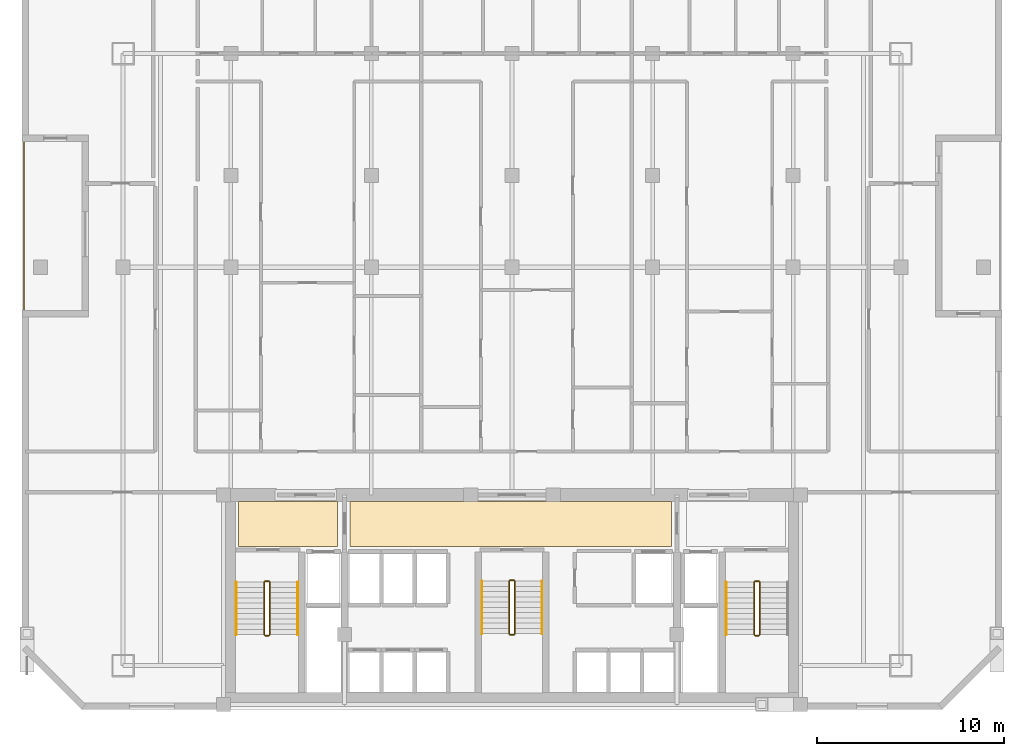
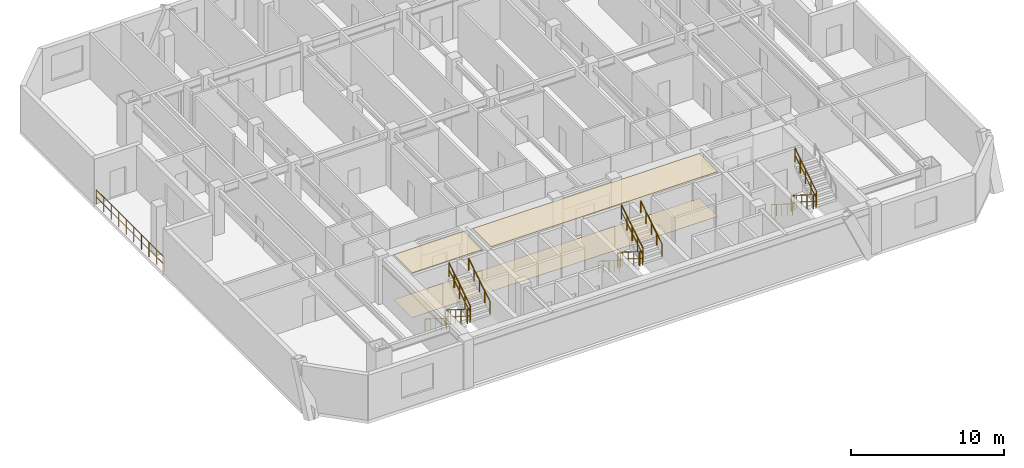
# One storey, part 9 of 10: 18 railings, 4 coverings.
"""IFC4 building model written with IfcOpenShell, lengths in metres."""

from ifc_helpers import new_model, si_unit, direction, frame, origin, origin_2d, place, context, subcontext, project, spatial, polyline, circle, outline, extrude, material, layer, layer_set, type_object, element, save


model = new_model("IFC4")

# Units and contexts
model_context = context("Model", 3, precision=1e-05, world=origin(), true_north=direction((0.0, 1.0)))
body_context = subcontext(model_context, "Body", "Model", "MODEL_VIEW")
ifc_project = project(units=[si_unit("LENGTHUNIT", "METRE"), si_unit("AREAUNIT", "SQUARE_METRE"), si_unit("VOLUMEUNIT", "CUBIC_METRE"), si_unit("PLANEANGLEUNIT", "RADIAN"), si_unit("MASSUNIT", "GRAM", prefix="KILO")], contexts=[model_context])

# Site, building, storey
site_placement = place(None, origin())
site = spatial("IfcSite", under=ifc_project, at=site_placement, CompositionType="ELEMENT")
building_placement = place(site_placement, origin())
building = spatial("IfcBuilding", under=site, at=building_placement, Name="Ventersveld Concourse Tower", CompositionType="ELEMENT")
storey_placement = place(building_placement, frame((0.0, 0.0, 123.39990234375)))
storey = spatial("IfcBuildingStorey", under=building, at=storey_placement, Name="L30", CompositionType="ELEMENT", Elevation=123.39990234375)

# Coverings
ifc_material_1 = material(Name="Mineral-fibre acoustic ceiling tile", Category="gypsum")
ifc_layer_1 = layer(ifc_material_1, 0.0400390625)
ifc_layer_set_1 = layer_set([ifc_layer_1], Name="Mineral-fibre acoustic ceiling tile")
covering_type_1 = type_object("IfcCoveringType", Name="COV-CEIL-ACOUSTIC", PredefinedType="CEILING", material=ifc_layer_set_1)
covering_1_placement = place(storey_placement, frame((0.0, 0.0, 3.56005859375)))
element("IfcCovering", 1, at=covering_1_placement, inside=storey, type_object=covering_type_1, Name="L30 North Lift Lobby Acoustic Ceiling", PredefinedType="CEILING", context=body_context, shape_type="SweptSolid", body=[
    extrude(outline(polyline([(20.10009765625, 8.699951171875), (37.25, 8.699951171875), (37.25, 11.10009765625), (20.10009765625, 11.10009765625), (20.10009765625, 8.699951171875)])), origin(), (0.0, 0.0, 1.0), 0.0400390625),
])
covering_2_placement = place(storey_placement, frame((0.0, 0.0, 3.56005859375)))
element("IfcCovering", 2, at=covering_2_placement, inside=storey, type_object=covering_type_1, Name="L30 West Firefighting Lobby Acoustic Ceiling", PredefinedType="CEILING", context=body_context, shape_type="SweptSolid", body=[
    extrude(outline(polyline([(14.14990234375, 8.699951171875), (19.449951171875, 8.699951171875), (19.449951171875, 11.10009765625), (14.14990234375, 11.10009765625), (14.14990234375, 8.699951171875)])), origin(), (0.0, 0.0, 1.0), 0.0400390625),
])
ifc_material_2 = material(Name="Polished Highveld granite terrazzo", Category="masonry")
ifc_layer_2 = layer(ifc_material_2, 0.02001953125)
ifc_layer_set_2 = layer_set([ifc_layer_2], Name="Polished Highveld granite terrazzo")
covering_type_2 = type_object("IfcCoveringType", Name="COV-FLOOR-TERRAZZO", PredefinedType="FLOORING", material=ifc_layer_set_2)
covering_3_placement = place(storey_placement, origin())
element("IfcCovering", 3, at=covering_3_placement, inside=storey, type_object=covering_type_2, Name="L30 North Lift Lobby Terrazzo Flooring", PredefinedType="FLOORING", context=body_context, shape_type="SweptSolid", body=[
    extrude(outline(polyline([(20.10009765625, 8.699951171875), (37.25, 8.699951171875), (37.25, 11.10009765625), (20.10009765625, 11.10009765625), (20.10009765625, 8.699951171875)])), origin(), (0.0, 0.0, 1.0), 0.02001953125),
])
covering_4_placement = place(storey_placement, origin())
element("IfcCovering", 4, at=covering_4_placement, inside=storey, type_object=covering_type_2, Name="L30 West Firefighting Lobby Terrazzo Flooring", PredefinedType="FLOORING", context=body_context, shape_type="SweptSolid", body=[
    extrude(outline(polyline([(14.14990234375, 8.699951171875), (19.449951171875, 8.699951171875), (19.449951171875, 11.10009765625), (14.14990234375, 11.10009765625), (14.14990234375, 8.699951171875)])), origin(), (0.0, 0.0, 1.0), 0.02001953125),
])

# Railings
ifc_material_3 = material(Name="Brushed stainless steel 316", Category="steel")
railing_type_1 = type_object("IfcRailingType", Name="GD-BAL-115", PredefinedType="GUARDRAIL", material=ifc_material_3)
railing_1_placement = place(storey_placement, frame((15.530029296875, 6.800048828125, 0.175048828125)))
element("IfcRailing", 5, at=railing_1_placement, inside=storey, type_object=railing_type_1, Name="L30 ST-01 stair guard 1", PredefinedType="GUARDRAIL", context=body_context, shape_type="SweptSolid", body=[
    extrude(circle(Radius=0.02392578125, at=origin_2d()), frame((0.0, 0.0, 1.1259765625), z_axis=(0.0, -0.848002457836, 0.529992293815), x_axis=(1.0, 0.0, 0.0)), (0.0, 0.0, 1.0), 3.302001953125),
    extrude(circle(Radius=0.01611328125, at=origin_2d()), frame((0.0, 0.0, 0.574951171875), z_axis=(0.0, -0.848002457836, 0.529992293815), x_axis=(1.0, 0.0, 0.0)), (0.0, 0.0, 1.0), 3.302001953125),
    extrude(circle(Radius=0.02099609375, at=origin_2d()), origin(), (0.0, 0.0, 1.0), 1.101806640625),
    extrude(circle(Radius=0.02099609375, at=origin_2d()), frame((0.0, -0.699951171875, 0.4375)), (0.0, 0.0, 1.0), 1.101806640625),
    extrude(circle(Radius=0.02099609375, at=origin_2d()), frame((0.0, -1.39990234375, 0.875)), (0.0, 0.0, 1.0), 1.101806640625),
    extrude(circle(Radius=0.02099609375, at=origin_2d()), frame((0.0, -2.10009765625, 1.3125)), (0.0, 0.0, 1.0), 1.101806640625),
    extrude(circle(Radius=0.02099609375, at=origin_2d()), frame((0.0, -2.800048828125, 1.75)), (0.0, 0.0, 1.0), 1.101806640625),
])
railing_2_placement = place(storey_placement, frame((15.580078125, 3.949951171875, 1.925048828125)))
element("IfcRailing", 6, at=railing_2_placement, inside=storey, type_object=railing_type_1, Name="L30 ST-01 stair guard 2", PredefinedType="GUARDRAIL", context=body_context, shape_type="SweptSolid", body=[
    extrude(circle(Radius=0.02392578125, at=origin_2d()), frame((0.0, 0.0, 1.1259765625), z_axis=(1.0, 0.0, 0.0), x_axis=(0.0, 1.0, 0.0)), (0.0, 0.0, 1.0), 0.199951171875),
    extrude(circle(Radius=0.01611328125, at=origin_2d()), frame((0.0, 0.0, 0.574951171875), z_axis=(1.0, 0.0, 0.0), x_axis=(0.0, 1.0, 0.0)), (0.0, 0.0, 1.0), 0.199951171875),
    extrude(circle(Radius=0.02099609375, at=origin_2d()), origin(), (0.0, 0.0, 1.0), 1.101806640625),
    extrude(circle(Radius=0.02099609375, at=origin_2d()), frame((0.199951171875, 0.0, 0.0)), (0.0, 0.0, 1.0), 1.101806640625),
])
railing_3_placement = place(storey_placement, frame((15.830078125, 4.0, 2.10009765625)))
element("IfcRailing", 7, at=railing_3_placement, inside=storey, type_object=railing_type_1, Name="L30 ST-01 stair guard 3", PredefinedType="GUARDRAIL", context=body_context, shape_type="SweptSolid", body=[
    extrude(circle(Radius=0.02392578125, at=origin_2d()), frame((0.0, 0.0, 1.1259765625), z_axis=(0.0, 0.848002457836, 0.529992293815), x_axis=(-1.0, 0.0, 0.0)), (0.0, 0.0, 1.0), 3.302001953125),
    extrude(circle(Radius=0.01611328125, at=origin_2d()), frame((0.0, 0.0, 0.574951171875), z_axis=(0.0, 0.848002457836, 0.529992293815), x_axis=(-1.0, 0.0, 0.0)), (0.0, 0.0, 1.0), 3.302001953125),
    extrude(circle(Radius=0.02099609375, at=origin_2d()), origin(), (0.0, 0.0, 1.0), 1.101806640625),
    extrude(circle(Radius=0.02099609375, at=origin_2d()), frame((0.0, 0.699951171875, 0.4375)), (0.0, 0.0, 1.0), 1.101806640625),
    extrude(circle(Radius=0.02099609375, at=origin_2d()), frame((0.0, 1.39990234375, 0.875)), (0.0, 0.0, 1.0), 1.101806640625),
    extrude(circle(Radius=0.02099609375, at=origin_2d()), frame((0.0, 2.10009765625, 1.3125)), (0.0, 0.0, 1.0), 1.101806640625),
    extrude(circle(Radius=0.02099609375, at=origin_2d()), frame((0.0, 2.800048828125, 1.75)), (0.0, 0.0, 1.0), 1.101806640625),
])
railing_4_placement = place(storey_placement, frame((15.580078125, 6.85009765625, 0.0)))
element("IfcRailing", 8, at=railing_4_placement, inside=storey, type_object=railing_type_1, Name="L30 ST-01 stair guard 4", PredefinedType="GUARDRAIL", context=body_context, shape_type="SweptSolid", body=[
    extrude(circle(Radius=0.02392578125, at=origin_2d()), frame((0.0, 0.0, 1.1259765625), z_axis=(1.0, 0.0, 0.0), x_axis=(0.0, 1.0, 0.0)), (0.0, 0.0, 1.0), 0.199951171875),
    extrude(circle(Radius=0.01611328125, at=origin_2d()), frame((0.0, 0.0, 0.574951171875), z_axis=(1.0, 0.0, 0.0), x_axis=(0.0, 1.0, 0.0)), (0.0, 0.0, 1.0), 0.199951171875),
    extrude(circle(Radius=0.02099609375, at=origin_2d()), origin(), (0.0, 0.0, 1.0), 1.101806640625),
    extrude(circle(Radius=0.02099609375, at=origin_2d()), frame((0.199951171875, 0.0, 0.0)), (0.0, 0.0, 1.0), 1.101806640625),
])
railing_5_placement = place(storey_placement, frame((41.669921875, 6.800048828125, 0.175048828125)))
element("IfcRailing", 9, at=railing_5_placement, inside=storey, type_object=railing_type_1, Name="L30 ST-02 stair guard 1", PredefinedType="GUARDRAIL", context=body_context, shape_type="SweptSolid", body=[
    extrude(circle(Radius=0.02392578125, at=origin_2d()), frame((0.0, 0.0, 1.1259765625), z_axis=(0.0, -0.848002457836, 0.529992293815), x_axis=(1.0, 0.0, 0.0)), (0.0, 0.0, 1.0), 3.302001953125),
    extrude(circle(Radius=0.01611328125, at=origin_2d()), frame((0.0, 0.0, 0.574951171875), z_axis=(0.0, -0.848002457836, 0.529992293815), x_axis=(1.0, 0.0, 0.0)), (0.0, 0.0, 1.0), 3.302001953125),
    extrude(circle(Radius=0.02099609375, at=origin_2d()), origin(), (0.0, 0.0, 1.0), 1.101806640625),
    extrude(circle(Radius=0.02099609375, at=origin_2d()), frame((0.0, -0.699951171875, 0.4375)), (0.0, 0.0, 1.0), 1.101806640625),
    extrude(circle(Radius=0.02099609375, at=origin_2d()), frame((0.0, -1.39990234375, 0.875)), (0.0, 0.0, 1.0), 1.101806640625),
    extrude(circle(Radius=0.02099609375, at=origin_2d()), frame((0.0, -2.10009765625, 1.3125)), (0.0, 0.0, 1.0), 1.101806640625),
    extrude(circle(Radius=0.02099609375, at=origin_2d()), frame((0.0, -2.800048828125, 1.75)), (0.0, 0.0, 1.0), 1.101806640625),
])
railing_6_placement = place(storey_placement, frame((41.719970703125, 3.949951171875, 1.925048828125)))
element("IfcRailing", 10, at=railing_6_placement, inside=storey, type_object=railing_type_1, Name="L30 ST-02 stair guard 2", PredefinedType="GUARDRAIL", context=body_context, shape_type="SweptSolid", body=[
    extrude(circle(Radius=0.02392578125, at=origin_2d()), frame((0.0, 0.0, 1.1259765625), z_axis=(1.0, 0.0, 0.0), x_axis=(0.0, 1.0, 0.0)), (0.0, 0.0, 1.0), 0.199951171875),
    extrude(circle(Radius=0.01611328125, at=origin_2d()), frame((0.0, 0.0, 0.574951171875), z_axis=(1.0, 0.0, 0.0), x_axis=(0.0, 1.0, 0.0)), (0.0, 0.0, 1.0), 0.199951171875),
    extrude(circle(Radius=0.02099609375, at=origin_2d()), origin(), (0.0, 0.0, 1.0), 1.101806640625),
    extrude(circle(Radius=0.02099609375, at=origin_2d()), frame((0.199951171875, 0.0, 0.0)), (0.0, 0.0, 1.0), 1.101806640625),
])
railing_7_placement = place(storey_placement, frame((41.969970703125, 4.0, 2.10009765625)))
element("IfcRailing", 11, at=railing_7_placement, inside=storey, type_object=railing_type_1, Name="L30 ST-02 stair guard 3", PredefinedType="GUARDRAIL", context=body_context, shape_type="SweptSolid", body=[
    extrude(circle(Radius=0.02392578125, at=origin_2d()), frame((0.0, 0.0, 1.1259765625), z_axis=(0.0, 0.848002457836, 0.529992293815), x_axis=(-1.0, 0.0, 0.0)), (0.0, 0.0, 1.0), 3.302001953125),
    extrude(circle(Radius=0.01611328125, at=origin_2d()), frame((0.0, 0.0, 0.574951171875), z_axis=(0.0, 0.848002457836, 0.529992293815), x_axis=(-1.0, 0.0, 0.0)), (0.0, 0.0, 1.0), 3.302001953125),
    extrude(circle(Radius=0.02099609375, at=origin_2d()), origin(), (0.0, 0.0, 1.0), 1.101806640625),
    extrude(circle(Radius=0.02099609375, at=origin_2d()), frame((0.0, 0.699951171875, 0.4375)), (0.0, 0.0, 1.0), 1.101806640625),
    extrude(circle(Radius=0.02099609375, at=origin_2d()), frame((0.0, 1.39990234375, 0.875)), (0.0, 0.0, 1.0), 1.101806640625),
    extrude(circle(Radius=0.02099609375, at=origin_2d()), frame((0.0, 2.10009765625, 1.3125)), (0.0, 0.0, 1.0), 1.101806640625),
    extrude(circle(Radius=0.02099609375, at=origin_2d()), frame((0.0, 2.800048828125, 1.75)), (0.0, 0.0, 1.0), 1.101806640625),
])
railing_8_placement = place(storey_placement, frame((41.719970703125, 6.85009765625, 0.0)))
element("IfcRailing", 12, at=railing_8_placement, inside=storey, type_object=railing_type_1, Name="L30 ST-02 stair guard 4", PredefinedType="GUARDRAIL", context=body_context, shape_type="SweptSolid", body=[
    extrude(circle(Radius=0.02392578125, at=origin_2d()), frame((0.0, 0.0, 1.1259765625), z_axis=(1.0, 0.0, 0.0), x_axis=(0.0, 1.0, 0.0)), (0.0, 0.0, 1.0), 0.199951171875),
    extrude(circle(Radius=0.01611328125, at=origin_2d()), frame((0.0, 0.0, 0.574951171875), z_axis=(1.0, 0.0, 0.0), x_axis=(0.0, 1.0, 0.0)), (0.0, 0.0, 1.0), 0.199951171875),
    extrude(circle(Radius=0.02099609375, at=origin_2d()), origin(), (0.0, 0.0, 1.0), 1.101806640625),
    extrude(circle(Radius=0.02099609375, at=origin_2d()), frame((0.199951171875, 0.0, 0.0)), (0.0, 0.0, 1.0), 1.101806640625),
])
railing_9_placement = place(storey_placement, frame((28.60009765625, 6.85009765625, 0.175048828125)))
element("IfcRailing", 13, at=railing_9_placement, inside=storey, type_object=railing_type_1, Name="L30 ST-03 stair guard 1", PredefinedType="GUARDRAIL", context=body_context, shape_type="SweptSolid", body=[
    extrude(circle(Radius=0.02392578125, at=origin_2d()), frame((0.0, 0.0, 1.1259765625), z_axis=(0.0, -0.848002457836, 0.529992293815), x_axis=(1.0, 0.0, 0.0)), (0.0, 0.0, 1.0), 3.302001953125),
    extrude(circle(Radius=0.01611328125, at=origin_2d()), frame((0.0, 0.0, 0.574951171875), z_axis=(0.0, -0.848002457836, 0.529992293815), x_axis=(1.0, 0.0, 0.0)), (0.0, 0.0, 1.0), 3.302001953125),
    extrude(circle(Radius=0.02099609375, at=origin_2d()), origin(), (0.0, 0.0, 1.0), 1.101806640625),
    extrude(circle(Radius=0.02099609375, at=origin_2d()), frame((0.0, -0.699951171875, 0.4375)), (0.0, 0.0, 1.0), 1.101806640625),
    extrude(circle(Radius=0.02099609375, at=origin_2d()), frame((0.0, -1.39990234375, 0.875)), (0.0, 0.0, 1.0), 1.101806640625),
    extrude(circle(Radius=0.02099609375, at=origin_2d()), frame((0.0, -2.10009765625, 1.3125)), (0.0, 0.0, 1.0), 1.101806640625),
    extrude(circle(Radius=0.02099609375, at=origin_2d()), frame((0.0, -2.800048828125, 1.75)), (0.0, 0.0, 1.0), 1.101806640625),
])
railing_10_placement = place(storey_placement, frame((28.64990234375, 4.0, 1.925048828125)))
element("IfcRailing", 14, at=railing_10_placement, inside=storey, type_object=railing_type_1, Name="L30 ST-03 stair guard 2", PredefinedType="GUARDRAIL", context=body_context, shape_type="SweptSolid", body=[
    extrude(circle(Radius=0.02392578125, at=origin_2d()), frame((0.0, 0.0, 1.1259765625), z_axis=(1.0, 0.0, 0.0), x_axis=(0.0, 1.0, 0.0)), (0.0, 0.0, 1.0), 0.2001953125),
    extrude(circle(Radius=0.01611328125, at=origin_2d()), frame((0.0, 0.0, 0.574951171875), z_axis=(1.0, 0.0, 0.0), x_axis=(0.0, 1.0, 0.0)), (0.0, 0.0, 1.0), 0.2001953125),
    extrude(circle(Radius=0.02099609375, at=origin_2d()), origin(), (0.0, 0.0, 1.0), 1.101806640625),
    extrude(circle(Radius=0.02099609375, at=origin_2d()), frame((0.2001953125, 0.0, 0.0)), (0.0, 0.0, 1.0), 1.101806640625),
])
railing_11_placement = place(storey_placement, frame((28.89990234375, 4.050048828125, 2.10009765625)))
element("IfcRailing", 15, at=railing_11_placement, inside=storey, type_object=railing_type_1, Name="L30 ST-03 stair guard 3", PredefinedType="GUARDRAIL", context=body_context, shape_type="SweptSolid", body=[
    extrude(circle(Radius=0.02392578125, at=origin_2d()), frame((0.0, 0.0, 1.1259765625), z_axis=(0.0, 0.848002457836, 0.529992293815), x_axis=(-1.0, 0.0, 0.0)), (0.0, 0.0, 1.0), 3.302001953125),
    extrude(circle(Radius=0.01611328125, at=origin_2d()), frame((0.0, 0.0, 0.574951171875), z_axis=(0.0, 0.848002457836, 0.529992293815), x_axis=(-1.0, 0.0, 0.0)), (0.0, 0.0, 1.0), 3.302001953125),
    extrude(circle(Radius=0.02099609375, at=origin_2d()), origin(), (0.0, 0.0, 1.0), 1.101806640625),
    extrude(circle(Radius=0.02099609375, at=origin_2d()), frame((0.0, 0.699951171875, 0.4375)), (0.0, 0.0, 1.0), 1.101806640625),
    extrude(circle(Radius=0.02099609375, at=origin_2d()), frame((0.0, 1.39990234375, 0.875)), (0.0, 0.0, 1.0), 1.101806640625),
    extrude(circle(Radius=0.02099609375, at=origin_2d()), frame((0.0, 2.10009765625, 1.3125)), (0.0, 0.0, 1.0), 1.101806640625),
    extrude(circle(Radius=0.02099609375, at=origin_2d()), frame((0.0, 2.800048828125, 1.75)), (0.0, 0.0, 1.0), 1.101806640625),
])
railing_12_placement = place(storey_placement, frame((28.64990234375, 6.89990234375, 0.0)))
element("IfcRailing", 16, at=railing_12_placement, inside=storey, type_object=railing_type_1, Name="L30 ST-03 stair guard 4", PredefinedType="GUARDRAIL", context=body_context, shape_type="SweptSolid", body=[
    extrude(circle(Radius=0.02392578125, at=origin_2d()), frame((0.0, 0.0, 1.1259765625), z_axis=(1.0, 0.0, 0.0), x_axis=(0.0, 1.0, 0.0)), (0.0, 0.0, 1.0), 0.2001953125),
    extrude(circle(Radius=0.01611328125, at=origin_2d()), frame((0.0, 0.0, 0.574951171875), z_axis=(1.0, 0.0, 0.0), x_axis=(0.0, 1.0, 0.0)), (0.0, 0.0, 1.0), 0.2001953125),
    extrude(circle(Radius=0.02099609375, at=origin_2d()), origin(), (0.0, 0.0, 1.0), 1.101806640625),
    extrude(circle(Radius=0.02099609375, at=origin_2d()), frame((0.2001953125, 0.0, 0.0)), (0.0, 0.0, 1.0), 1.101806640625),
])
railing_type_2 = type_object("IfcRailingType", Name="GD-TER-120", PredefinedType="GUARDRAIL", material=ifc_material_3)
railing_13_placement = place(storey_placement, frame((2.719970703125, 21.35009765625, 0.0)))
element("IfcRailing", 17, at=railing_13_placement, inside=storey, type_object=railing_type_2, Name="L30 Outdoor Terrace Guardrail NOTCH-W", PredefinedType="GUARDRAIL", context=body_context, shape_type="SweptSolid", body=[
    extrude(circle(Radius=0.02392578125, at=origin_2d()), frame((0.0, 0.0, 1.17578125), z_axis=(0.0, 1.0, 0.0), x_axis=(-1.0, 0.0, 0.0)), (0.0, 0.0, 1.0), 8.89990234375),
    extrude(circle(Radius=0.01611328125, at=origin_2d()), frame((0.0, 0.0, 0.60009765625), z_axis=(0.0, 1.0, 0.0), x_axis=(-1.0, 0.0, 0.0)), (0.0, 0.0, 1.0), 8.89990234375),
    extrude(circle(Radius=0.02099609375, at=origin_2d()), origin(), (0.0, 0.0, 1.0), 1.15185546875),
    extrude(circle(Radius=0.02099609375, at=origin_2d()), frame((0.0, 0.98876953125, 0.0)), (0.0, 0.0, 1.0), 1.15185546875),
    extrude(circle(Radius=0.02099609375, at=origin_2d()), frame((0.0, 1.977783203125, 0.0)), (0.0, 0.0, 1.0), 1.15185546875),
    extrude(circle(Radius=0.02099609375, at=origin_2d()), frame((0.0, 2.966552734375, 0.0)), (0.0, 0.0, 1.0), 1.15185546875),
    extrude(circle(Radius=0.02099609375, at=origin_2d()), frame((0.0, 3.95556640625, 0.0)), (0.0, 0.0, 1.0), 1.15185546875),
    extrude(circle(Radius=0.02099609375, at=origin_2d()), frame((0.0, 4.9443359375, 0.0)), (0.0, 0.0, 1.0), 1.15185546875),
    extrude(circle(Radius=0.02099609375, at=origin_2d()), frame((0.0, 5.933349609375, 0.0)), (0.0, 0.0, 1.0), 1.15185546875),
    extrude(circle(Radius=0.02099609375, at=origin_2d()), frame((0.0, 6.922119140625, 0.0)), (0.0, 0.0, 1.0), 1.15185546875),
    extrude(circle(Radius=0.02099609375, at=origin_2d()), frame((0.0, 7.9111328125, 0.0)), (0.0, 0.0, 1.0), 1.15185546875),
    extrude(circle(Radius=0.02099609375, at=origin_2d()), frame((0.0, 8.89990234375, 0.0)), (0.0, 0.0, 1.0), 1.15185546875),
])
railing_type_3 = type_object("IfcRailingType", Name="HR-RMP-095", PredefinedType="HANDRAIL", material=ifc_material_3)
railing_14_placement = place(storey_placement, frame((14.030029296875, 6.800048828125, 0.175048828125)))
element("IfcRailing", 18, at=railing_14_placement, inside=storey, type_object=railing_type_3, Name="L30 ST-01 stair handrail 1", PredefinedType="HANDRAIL", context=body_context, shape_type="SweptSolid", body=[
    extrude(circle(Radius=0.02392578125, at=origin_2d()), frame((0.0, 0.0, 0.92578125), z_axis=(0.0, -0.848002457836, 0.529992293815), x_axis=(1.0, 0.0, 0.0)), (0.0, 0.0, 1.0), 3.302001953125),
    extrude(circle(Radius=0.02099609375, at=origin_2d()), origin(), (0.0, 0.0, 1.0), 0.90185546875),
    extrude(circle(Radius=0.02099609375, at=origin_2d()), frame((0.0, -0.699951171875, 0.4375)), (0.0, 0.0, 1.0), 0.90185546875),
    extrude(circle(Radius=0.02099609375, at=origin_2d()), frame((0.0, -1.39990234375, 0.875)), (0.0, 0.0, 1.0), 0.90185546875),
    extrude(circle(Radius=0.02099609375, at=origin_2d()), frame((0.0, -2.10009765625, 1.3125)), (0.0, 0.0, 1.0), 0.90185546875),
    extrude(circle(Radius=0.02099609375, at=origin_2d()), frame((0.0, -2.800048828125, 1.75)), (0.0, 0.0, 1.0), 0.90185546875),
])
railing_15_placement = place(storey_placement, frame((17.330078125, 4.0, 2.10009765625)))
element("IfcRailing", 19, at=railing_15_placement, inside=storey, type_object=railing_type_3, Name="L30 ST-01 stair handrail 2", PredefinedType="HANDRAIL", context=body_context, shape_type="SweptSolid", body=[
    extrude(circle(Radius=0.02392578125, at=origin_2d()), frame((0.0, 0.0, 0.92578125), z_axis=(0.0, 0.848002457836, 0.529992293815), x_axis=(-1.0, 0.0, 0.0)), (0.0, 0.0, 1.0), 3.302001953125),
    extrude(circle(Radius=0.02099609375, at=origin_2d()), origin(), (0.0, 0.0, 1.0), 0.90185546875),
    extrude(circle(Radius=0.02099609375, at=origin_2d()), frame((0.0, 0.699951171875, 0.4375)), (0.0, 0.0, 1.0), 0.90185546875),
    extrude(circle(Radius=0.02099609375, at=origin_2d()), frame((0.0, 1.39990234375, 0.875)), (0.0, 0.0, 1.0), 0.90185546875),
    extrude(circle(Radius=0.02099609375, at=origin_2d()), frame((0.0, 2.10009765625, 1.3125)), (0.0, 0.0, 1.0), 0.90185546875),
    extrude(circle(Radius=0.02099609375, at=origin_2d()), frame((0.0, 2.800048828125, 1.75)), (0.0, 0.0, 1.0), 0.90185546875),
])
for number, where, name in (
    (20, (40.169921875, 6.800048828125, 0.175048828125), "L30 ST-02 stair handrail 1"),
    (21, (27.14990234375, 6.85009765625, 0.175048828125), "L30 ST-03 stair handrail 1"),
):
    element("IfcRailing", number, at=place(storey_placement, frame(where)), inside=storey, type_object=railing_type_3, Name=name, PredefinedType="HANDRAIL", context=body_context, shape_type="SweptSolid", body=[
        extrude(circle(Radius=0.02392578125, at=origin_2d()), frame((0.0, 0.0, 0.92578125), z_axis=(0.0, -0.848002457836, 0.529992293815), x_axis=(1.0, 0.0, 0.0)), (0.0, 0.0, 1.0), 3.302001953125),
        extrude(circle(Radius=0.02099609375, at=origin_2d()), origin(), (0.0, 0.0, 1.0), 0.90185546875),
        extrude(circle(Radius=0.02099609375, at=origin_2d()), frame((0.0, -0.699951171875, 0.4375)), (0.0, 0.0, 1.0), 0.90185546875),
        extrude(circle(Radius=0.02099609375, at=origin_2d()), frame((0.0, -1.39990234375, 0.875)), (0.0, 0.0, 1.0), 0.90185546875),
        extrude(circle(Radius=0.02099609375, at=origin_2d()), frame((0.0, -2.10009765625, 1.3125)), (0.0, 0.0, 1.0), 0.90185546875),
        extrude(circle(Radius=0.02099609375, at=origin_2d()), frame((0.0, -2.800048828125, 1.75)), (0.0, 0.0, 1.0), 0.90185546875),
    ])
railing_16_placement = place(storey_placement, frame((30.35009765625, 4.050048828125, 2.10009765625)))
element("IfcRailing", 22, at=railing_16_placement, inside=storey, type_object=railing_type_3, Name="L30 ST-03 stair handrail 2", PredefinedType="HANDRAIL", context=body_context, shape_type="SweptSolid", body=[
    extrude(circle(Radius=0.02392578125, at=origin_2d()), frame((0.0, 0.0, 0.92578125), z_axis=(0.0, 0.848002457836, 0.529992293815), x_axis=(-1.0, 0.0, 0.0)), (0.0, 0.0, 1.0), 3.302001953125),
    extrude(circle(Radius=0.02099609375, at=origin_2d()), origin(), (0.0, 0.0, 1.0), 0.90185546875),
    extrude(circle(Radius=0.02099609375, at=origin_2d()), frame((0.0, 0.699951171875, 0.4375)), (0.0, 0.0, 1.0), 0.90185546875),
    extrude(circle(Radius=0.02099609375, at=origin_2d()), frame((0.0, 1.39990234375, 0.875)), (0.0, 0.0, 1.0), 0.90185546875),
    extrude(circle(Radius=0.02099609375, at=origin_2d()), frame((0.0, 2.10009765625, 1.3125)), (0.0, 0.0, 1.0), 0.90185546875),
    extrude(circle(Radius=0.02099609375, at=origin_2d()), frame((0.0, 2.800048828125, 1.75)), (0.0, 0.0, 1.0), 0.90185546875),
])

save(model, "model.ifc")
